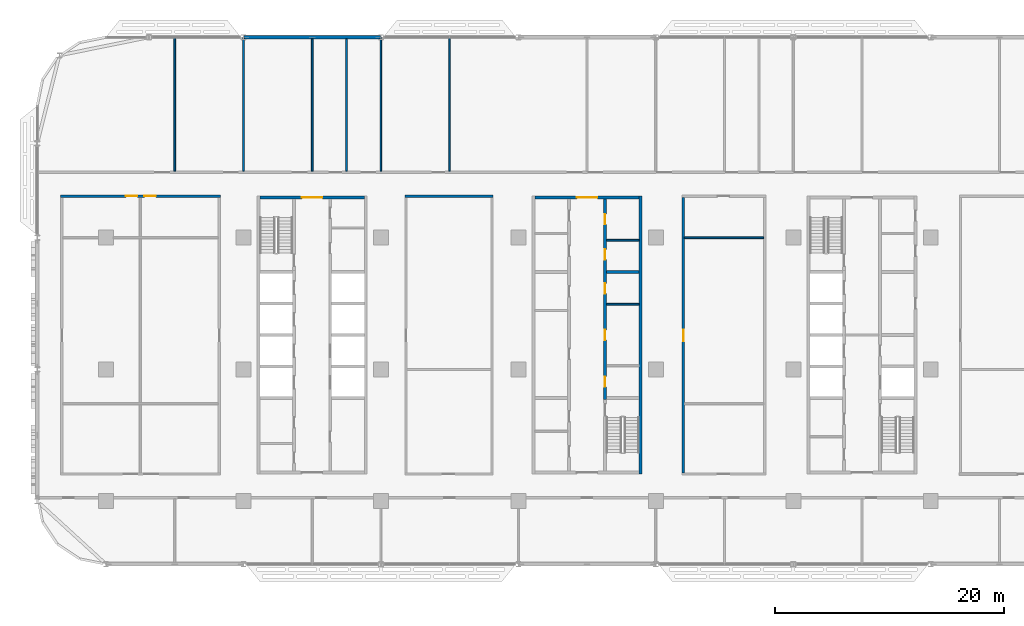
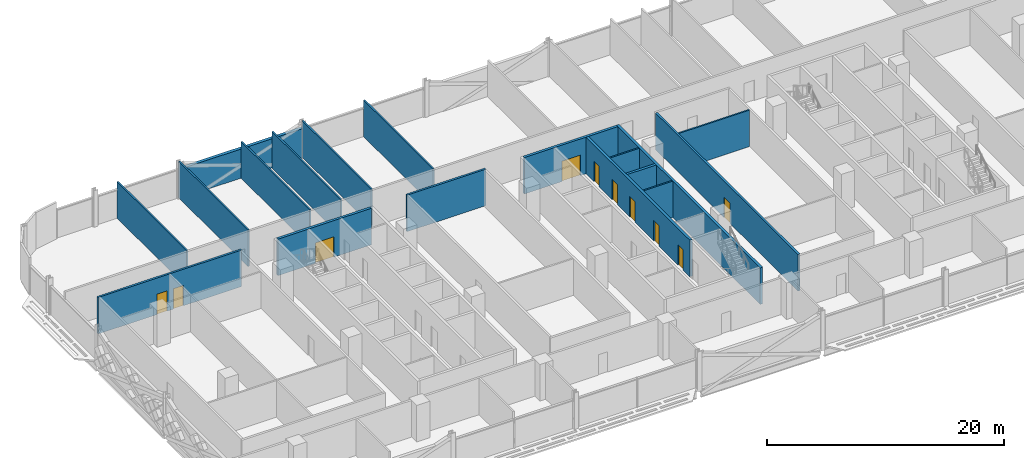
# One storey, part 15 of 28: 18 walls, 10 doors, 10 openings.
"""IFC4 building model written with IfcOpenShell, lengths in metres."""

from ifc_helpers import new_model, si_unit, direction, frame, frame_2d, origin, place, context, subcontext, project, spatial, rectangle, extrude, material, layer, layer_set, type_object, element, fill, save


model = new_model("IFC4")

# Units and contexts
model_context = context("Model", 3, precision=1e-05, world=origin(), true_north=direction((0.0, 1.0)))
body_context = subcontext(model_context, "Body", "Model", "MODEL_VIEW")
ifc_project = project(units=[si_unit("LENGTHUNIT", "METRE"), si_unit("AREAUNIT", "SQUARE_METRE"), si_unit("VOLUMEUNIT", "CUBIC_METRE"), si_unit("PLANEANGLEUNIT", "RADIAN"), si_unit("MASSUNIT", "GRAM", prefix="KILO")], contexts=[model_context])

# Site, building, storey
site_placement = place(None, origin())
site = spatial("IfcSite", under=ifc_project, at=site_placement, CompositionType="ELEMENT")
building_placement = place(site_placement, origin())
building = spatial("IfcBuilding", under=site, at=building_placement, Name="Mahtab Terrace Research Tower", CompositionType="ELEMENT")
storey_placement = place(building_placement, frame((0.0, 0.0, 130.199951171875)))
storey = spatial("IfcBuildingStorey", under=building, at=storey_placement, Name="L30", CompositionType="ELEMENT", Elevation=130.199951171875)

# Walls
ifc_material_1 = material(Name="Gypsum board partition")
ifc_layer_1 = layer(ifc_material_1, 0.14990234375)
ifc_layer_set_1 = layer_set([ifc_layer_1], Name="Core partition 150")
wall_type_1 = type_object("IfcWallType", Name="Core partition 150", PredefinedType="PARTITIONING", material=ifc_layer_set_1)
for number, where, z_axis, x_axis, name in (
    (1, (1.699951171875, 5.6875, 0.0), (0.0, 0.0, 1.0), (1.0, 0.0, 0.0), "Core wall B pEL269"),
    (2, (1.699951171875, 11.27490234375, 0.0), (0.0, 0.0, 1.0), (1.0, 0.0, 0.0), "Core wall B pEN828"),
):
    element("IfcWall", number, at=place(storey_placement, frame(where, z_axis=z_axis, x_axis=x_axis)), inside=storey, type_object=wall_type_1, Name=name, PredefinedType="PARTITIONING", context=body_context, shape_type="SweptSolid", body=[
        extrude(rectangle(XDim=2.85009765625, YDim=0.14990234375, at=frame_2d((1.425048828125, 0.0))), origin(), (0.0, 0.0, 1.0), 3.760009765625),
    ])

# Wall, opening, door
ifc_material_2 = material(Name="Concrete C70/85", Category="concrete")
ifc_layer_2 = layer(ifc_material_2, 0.25)
ifc_layer_set_2 = layer_set([ifc_layer_2], Name="Core wall 250")
wall_type_2 = type_object("IfcWallType", Name="Core wall 250", PredefinedType="SOLIDWALL", material=ifc_layer_set_2)
wall_1_placement = place(storey_placement, frame((-28.550048828125, 15.0, 0.0), z_axis=(0.0, 0.0, 1.0), x_axis=(1.0, 0.0, 0.0)))
wall_1 = element("IfcWall", 3, at=wall_1_placement, inside=storey, type_object=wall_type_2, Name="Core wall A endN", PredefinedType="SOLIDWALL", context=body_context, shape_type="SweptSolid", body=[
    extrude(rectangle(XDim=9.10009765625, YDim=0.25, at=frame_2d((4.550048828125, 0.0))), origin(), (0.0, 0.0, 1.0), 3.760009765625),
])
opening_1_placement = place(wall_1_placement, frame((3.64990234375, 0.0, 0.0)))
opening_1 = element("IfcOpeningElement", 4, at=opening_1_placement, cuts=wall_1, Name="Opening A-N1", PredefinedType="OPENING", context=body_context, shape_type="SweptSolid", body=[
    extrude(rectangle(XDim=1.800048828125, YDim=2.10009765625, at=frame_2d((0.89990234375, 1.050048828125))), frame((0.0, 0.135009765625, 0.0), z_axis=(0.0, -1.0, 0.0), x_axis=(1.0, 0.0, 0.0)), (0.0, 0.0, 1.0), 0.27001953125),
])
ifc_material_3 = material(Name="Steel fire door", Category="steel")
door_type_1 = type_object("IfcDoorType", Name="Lobby double door 1800x2100 1 HR", OperationType="DOUBLE_DOOR_SINGLE_SWING", PredefinedType="DOOR", material=ifc_material_3)
door_1_placement = place(opening_1_placement, origin())
door_1 = element("IfcDoor", 5, at=door_1_placement, inside=storey, type_object=door_type_1, Name="Core entrance door A N", OperationType="DOUBLE_DOOR_SINGLE_SWING", OverallHeight=2.10009765625, OverallWidth=1.800048828125, PredefinedType="DOOR", context=body_context, shape_type="SweptSolid", body=[
    extrude(rectangle(XDim=1.800048828125, YDim=2.10009765625, at=frame_2d((0.89990234375, 1.050048828125))), frame((0.0, 0.02490234375, 0.0), z_axis=(0.0, -1.0, 0.0), x_axis=(1.0, 0.0, 0.0)), (0.0, 0.0, 1.0), 0.050048828125),
])
fill(opening_1, door_1)

# Wall
wall_2_placement = place(storey_placement, frame((4.675048828125, -9.125, 0.0), z_axis=(0.0, 0.0, 1.0), x_axis=(0.0, 1.0, 0.0)))
element("IfcWall", 6, at=wall_2_placement, inside=storey, type_object=wall_type_2, Name="Core wall B outerE", PredefinedType="SOLIDWALL", context=body_context, shape_type="SweptSolid", body=[
    extrude(rectangle(XDim=24.25, YDim=0.25, at=frame_2d((12.125, 0.0))), origin(), (0.0, 0.0, 1.0), 3.760009765625),
])

# Wall, opening, door
wall_3_placement = place(storey_placement, frame((-4.550048828125, 15.0, 0.0), z_axis=(0.0, 0.0, 1.0), x_axis=(1.0, 0.0, 0.0)))
wall_3 = element("IfcWall", 7, at=wall_3_placement, inside=storey, type_object=wall_type_2, Name="Core wall B endN", PredefinedType="SOLIDWALL", context=body_context, shape_type="SweptSolid", body=[
    extrude(rectangle(XDim=9.10009765625, YDim=0.25, at=frame_2d((4.550048828125, 0.0))), origin(), (0.0, 0.0, 1.0), 3.760009765625),
])
opening_2_placement = place(wall_3_placement, frame((3.64990234375, 0.0, 0.0)))
opening_2 = element("IfcOpeningElement", 8, at=opening_2_placement, cuts=wall_3, Name="Opening B-N1", PredefinedType="OPENING", context=body_context, shape_type="SweptSolid", body=[
    extrude(rectangle(XDim=1.800048828125, YDim=2.10009765625, at=frame_2d((0.89990234375, 1.050048828125))), frame((0.0, 0.135009765625, 0.0), z_axis=(0.0, -1.0, 0.0), x_axis=(1.0, 0.0, 0.0)), (0.0, 0.0, 1.0), 0.27001953125),
])
door_2_placement = place(opening_2_placement, origin())
door_2 = element("IfcDoor", 9, at=door_2_placement, inside=storey, type_object=door_type_1, Name="Core entrance door B N", OperationType="DOUBLE_DOOR_SINGLE_SWING", OverallHeight=2.10009765625, OverallWidth=1.800048828125, PredefinedType="DOOR", context=body_context, shape_type="SweptSolid", body=[
    extrude(rectangle(XDim=1.800048828125, YDim=2.10009765625, at=frame_2d((0.89990234375, 1.050048828125))), frame((0.0, 0.02490234375, 0.0), z_axis=(0.0, -1.0, 0.0), x_axis=(1.0, 0.0, 0.0)), (0.0, 0.0, 1.0), 0.050048828125),
])
fill(opening_2, door_2)

# Wall, openings, doors
wall_4_placement = place(storey_placement, frame((1.574951171875, 14.875, 0.0), z_axis=(0.0, 0.0, 1.0), x_axis=(0.0, -1.0, 0.0)))
wall_4 = element("IfcWall", 10, at=wall_4_placement, inside=storey, type_object=wall_type_2, Name="Core wall B innerELN", PredefinedType="SOLIDWALL", context=body_context, shape_type="SweptSolid", body=[
    extrude(rectangle(XDim=17.5, YDim=0.25, at=frame_2d((8.75, 0.0))), origin(), (0.0, 0.0, 1.0), 3.760009765625),
])
opening_3_placement = place(wall_4_placement, frame((15.493896484375, 0.0, 0.0)))
opening_3 = element("IfcOpeningElement", 11, at=opening_3_placement, cuts=wall_4, Name="Opening B-R3", PredefinedType="OPENING", context=body_context, shape_type="SweptSolid", body=[
    extrude(rectangle(XDim=0.89990234375, YDim=2.10009765625, at=frame_2d((0.449951171875, 1.050048828125))), frame((0.0, 0.135009765625, 0.0), z_axis=(0.0, -1.0, 0.0), x_axis=(1.0, 0.0, 0.0)), (0.0, 0.0, 1.0), 0.27001953125),
])
opening_4_placement = place(wall_4_placement, frame((11.425048828125, 0.0, 0.0)))
opening_4 = element("IfcOpeningElement", 12, at=opening_4_placement, cuts=wall_4, Name="Opening B-R4", PredefinedType="OPENING", context=body_context, shape_type="SweptSolid", body=[
    extrude(rectangle(XDim=0.89990234375, YDim=2.10009765625, at=frame_2d((0.449951171875, 1.050048828125))), frame((0.0, 0.135009765625, 0.0), z_axis=(0.0, -1.0, 0.0), x_axis=(1.0, 0.0, 0.0)), (0.0, 0.0, 1.0), 0.27001953125),
])
opening_5_placement = place(wall_4_placement, frame((7.356201171875, 0.0, 0.0)))
opening_5 = element("IfcOpeningElement", 13, at=opening_5_placement, cuts=wall_4, Name="Opening B-R5", PredefinedType="OPENING", context=body_context, shape_type="SweptSolid", body=[
    extrude(rectangle(XDim=0.89990234375, YDim=2.10009765625, at=frame_2d((0.449951171875, 1.050048828125))), frame((0.0, 0.135009765625, 0.0), z_axis=(0.0, -1.0, 0.0), x_axis=(1.0, 0.0, 0.0)), (0.0, 0.0, 1.0), 0.27001953125),
])
opening_6_placement = place(wall_4_placement, frame((4.387451171875, 0.0, 0.0)))
opening_6 = element("IfcOpeningElement", 14, at=opening_6_placement, cuts=wall_4, Name="Opening B-R10", PredefinedType="OPENING", context=body_context, shape_type="SweptSolid", body=[
    extrude(rectangle(XDim=0.89990234375, YDim=2.10009765625, at=frame_2d((0.449951171875, 1.050048828125))), frame((0.0, 0.135009765625, 0.0), z_axis=(0.0, -1.0, 0.0), x_axis=(1.0, 0.0, 0.0)), (0.0, 0.0, 1.0), 0.27001953125),
])
opening_7_placement = place(wall_4_placement, frame((1.3125, 0.0, 0.0)))
opening_7 = element("IfcOpeningElement", 15, at=opening_7_placement, cuts=wall_4, Name="Opening B-R11", PredefinedType="OPENING", context=body_context, shape_type="SweptSolid", body=[
    extrude(rectangle(XDim=0.89990234375, YDim=2.10009765625, at=frame_2d((0.449951171875, 1.050048828125))), frame((0.0, 0.135009765625, 0.0), z_axis=(0.0, -1.0, 0.0), x_axis=(1.0, 0.0, 0.0)), (0.0, 0.0, 1.0), 0.27001953125),
])
door_type_2 = type_object("IfcDoorType", Name="Room door 900x2100 1 HR", OperationType="NOTDEFINED", PredefinedType="DOOR", material=ifc_material_3)
door_3_placement = place(opening_3_placement, origin())
door_3 = element("IfcDoor", 16, at=door_3_placement, inside=storey, type_object=door_type_2, Name="Comms room door", OperationType="SINGLE_SWING_LEFT", OverallHeight=2.10009765625, OverallWidth=0.89990234375, PredefinedType="DOOR", context=body_context, shape_type="SweptSolid", body=[
    extrude(rectangle(XDim=0.89990234375, YDim=2.10009765625, at=frame_2d((0.449951171875, 1.050048828125))), frame((0.0, 0.02490234375, 0.0), z_axis=(0.0, -1.0, 0.0), x_axis=(1.0, 0.0, 0.0)), (0.0, 0.0, 1.0), 0.050048828125),
])
fill(opening_3, door_3)
door_4_placement = place(opening_4_placement, origin())
door_4 = element("IfcDoor", 17, at=door_4_placement, inside=storey, type_object=door_type_2, Name="Meeting alcove door", OperationType="SINGLE_SWING_RIGHT", OverallHeight=2.10009765625, OverallWidth=0.89990234375, PredefinedType="DOOR", context=body_context, shape_type="SweptSolid", body=[
    extrude(rectangle(XDim=0.89990234375, YDim=2.10009765625, at=frame_2d((0.449951171875, 1.050048828125))), frame((0.0, 0.02490234375, 0.0), z_axis=(0.0, -1.0, 0.0), x_axis=(1.0, 0.0, 0.0)), (0.0, 0.0, 1.0), 0.050048828125),
])
fill(opening_4, door_4)
door_5_placement = place(opening_5_placement, origin())
door_5 = element("IfcDoor", 18, at=door_5_placement, inside=storey, type_object=door_type_2, Name="Linen store door", OperationType="SINGLE_SWING_LEFT", OverallHeight=2.10009765625, OverallWidth=0.89990234375, PredefinedType="DOOR", context=body_context, shape_type="SweptSolid", body=[
    extrude(rectangle(XDim=0.89990234375, YDim=2.10009765625, at=frame_2d((0.449951171875, 1.050048828125))), frame((0.0, 0.02490234375, 0.0), z_axis=(0.0, -1.0, 0.0), x_axis=(1.0, 0.0, 0.0)), (0.0, 0.0, 1.0), 0.050048828125),
])
fill(opening_5, door_5)
door_6_placement = place(opening_6_placement, origin())
door_6 = element("IfcDoor", 19, at=door_6_placement, inside=storey, type_object=door_type_2, Name="Accessible WC door", OperationType="SINGLE_SWING_RIGHT", OverallHeight=2.10009765625, OverallWidth=0.89990234375, PredefinedType="DOOR", context=body_context, shape_type="SweptSolid", body=[
    extrude(rectangle(XDim=0.89990234375, YDim=2.10009765625, at=frame_2d((0.449951171875, 1.050048828125))), frame((0.0, 0.02490234375, 0.0), z_axis=(0.0, -1.0, 0.0), x_axis=(1.0, 0.0, 0.0)), (0.0, 0.0, 1.0), 0.050048828125),
])
fill(opening_6, door_6)
door_7_placement = place(opening_7_placement, origin())
door_7 = element("IfcDoor", 20, at=door_7_placement, inside=storey, type_object=door_type_2, Name="WC block door", OperationType="SINGLE_SWING_LEFT", OverallHeight=2.10009765625, OverallWidth=0.89990234375, PredefinedType="DOOR", context=body_context, shape_type="SweptSolid", body=[
    extrude(rectangle(XDim=0.89990234375, YDim=2.10009765625, at=frame_2d((0.449951171875, 1.050048828125))), frame((0.0, 0.02490234375, 0.0), z_axis=(0.0, -1.0, 0.0), x_axis=(1.0, 0.0, 0.0)), (0.0, 0.0, 1.0), 0.050048828125),
])
fill(opening_7, door_7)

# Walls
wall_5_placement = place(storey_placement, frame((1.699951171875, 8.5, 0.0), z_axis=(0.0, 0.0, 1.0), x_axis=(1.0, 0.0, 0.0)))
element("IfcWall", 21, at=wall_5_placement, inside=storey, type_object=wall_type_2, Name="Core wall B divE4", PredefinedType="SOLIDWALL", context=body_context, shape_type="SweptSolid", body=[
    extrude(rectangle(XDim=2.85009765625, YDim=0.25, at=frame_2d((1.425048828125, 0.0))), origin(), (0.0, 0.0, 1.0), 3.760009765625),
])
ifc_material_4 = material(Name="Black aluminium cladding panel", Category="aluminium")
ifc_layer_3 = layer(ifc_material_4, 0.300048828125)
ifc_layer_set_3 = layer_set([ifc_layer_3], Name="Opaque facade wall 300")
wall_type_3 = type_object("IfcWallType", Name="Opaque facade wall 300", PredefinedType="NOTDEFINED", material=ifc_layer_set_3)
wall_6_placement = place(storey_placement, frame((-18.017822265625, 29.0, 0.0), z_axis=(0.0, 0.0, 1.0), x_axis=(-1.0, 0.0, 0.0)))
element("IfcWall", 22, at=wall_6_placement, inside=storey, type_object=wall_type_3, Name="Opaque facade wall L30 N8", PredefinedType="NOTDEFINED", context=body_context, shape_type="SweptSolid", body=[
    extrude(rectangle(XDim=11.96435546875, YDim=0.300048828125, at=frame_2d((5.982177734375, 0.0))), origin(), (0.0, 0.0, 1.0), 3.003173828125),
])

# Wall, openings, doors
ifc_material_5 = material(Name="Gypsum board corridor wall on steel studs", Category="steel")
ifc_layer_4 = layer(ifc_material_5, 0.199951171875)
ifc_layer_set_4 = layer_set([ifc_layer_4], Name="WALL CORRIDOR 200")
wall_type_4 = type_object("IfcWallType", Name="WALL CORRIDOR 200", PredefinedType="PARTITIONING", material=ifc_layer_set_4)
wall_7_placement = place(storey_placement, frame((-45.949951171875, 15.125, 0.0), z_axis=(0.0, 0.0, 1.0), x_axis=(1.0, 0.0, 0.0)))
wall_7 = element("IfcWall", 23, at=wall_7_placement, inside=storey, type_object=wall_type_4, Name="L30-W022", PredefinedType="PARTITIONING", context=body_context, shape_type="SweptSolid", body=[
    extrude(rectangle(XDim=13.949951171875, YDim=0.199951171875, at=frame_2d((6.97509765625, 0.0))), origin(), (0.0, 0.0, 1.0), 3.760009765625),
])
opening_8_placement = place(wall_7_placement, frame((5.699951171875, 0.0, 0.0)))
opening_8 = element("IfcOpeningElement", 24, at=opening_8_placement, cuts=wall_7, Name="Opening L30-123", PredefinedType="OPENING", context=body_context, shape_type="SweptSolid", body=[
    extrude(rectangle(XDim=1.0, YDim=2.10009765625, at=frame_2d((0.5, 1.050048828125))), frame((0.0, 0.10986328125, 0.0), z_axis=(0.0, -1.0, 0.0), x_axis=(1.0, 0.0, 0.0)), (0.0, 0.0, 1.0), 0.219970703125),
])
opening_9_placement = place(wall_7_placement, frame((7.300048828125, 0.0, 0.0)))
opening_9 = element("IfcOpeningElement", 25, at=opening_9_placement, cuts=wall_7, Name="Opening L30-124", PredefinedType="OPENING", context=body_context, shape_type="SweptSolid", body=[
    extrude(rectangle(XDim=1.0, YDim=2.10009765625, at=frame_2d((0.5, 1.050048828125))), frame((0.0, 0.10986328125, 0.0), z_axis=(0.0, -1.0, 0.0), x_axis=(1.0, 0.0, 0.0)), (0.0, 0.0, 1.0), 0.219970703125),
])
ifc_material_6 = material(Name="Timber door leaf in steel frame", Category="steel")
door_type_3 = type_object("IfcDoorType", Name="DOOR 1000X2100 FD30S", OperationType="SINGLE_SWING_LEFT", PredefinedType="DOOR", material=ifc_material_6)
door_8_placement = place(opening_8_placement, origin())
door_8 = element("IfcDoor", 26, at=door_8_placement, inside=storey, type_object=door_type_3, Name="Door L30-123", OperationType="SINGLE_SWING_RIGHT", OverallHeight=2.10009765625, OverallWidth=1.0, PredefinedType="DOOR", context=body_context, shape_type="SweptSolid", body=[
    extrude(rectangle(XDim=1.0, YDim=2.10009765625, at=frame_2d((0.5, 1.050048828125))), frame((0.0, 0.02490234375, 0.0), z_axis=(0.0, -1.0, 0.0), x_axis=(1.0, 0.0, 0.0)), (0.0, 0.0, 1.0), 0.050048828125),
])
fill(opening_8, door_8)
door_9_placement = place(opening_9_placement, origin())
door_9 = element("IfcDoor", 27, at=door_9_placement, inside=storey, type_object=door_type_3, Name="Door L30-124", OperationType="SINGLE_SWING_LEFT", OverallHeight=2.10009765625, OverallWidth=1.0, PredefinedType="DOOR", context=body_context, shape_type="SweptSolid", body=[
    extrude(rectangle(XDim=1.0, YDim=2.10009765625, at=frame_2d((0.5, 1.050048828125))), frame((0.0, 0.02490234375, 0.0), z_axis=(0.0, -1.0, 0.0), x_axis=(1.0, 0.0, 0.0)), (0.0, 0.0, 1.0), 0.050048828125),
])
fill(opening_9, door_9)

# Wall
wall_8_placement = place(storey_placement, frame((-15.89990234375, 15.125, 0.0), z_axis=(0.0, 0.0, 1.0), x_axis=(1.0, 0.0, 0.0)))
element("IfcWall", 28, at=wall_8_placement, inside=storey, type_object=wall_type_4, Name="L30-W023", PredefinedType="PARTITIONING", context=body_context, shape_type="SweptSolid", body=[
    extrude(rectangle(XDim=7.699951171875, YDim=0.199951171875, at=frame_2d((3.85009765625, 0.0))), origin(), (0.0, 0.0, 1.0), 3.760009765625),
])

# Wall, opening, door
wall_9_placement = place(storey_placement, frame((8.39990234375, -9.02490234375, 0.0), z_axis=(0.0, 0.0, 1.0), x_axis=(0.0, 1.0, 0.0)))
wall_9 = element("IfcWall", 29, at=wall_9_placement, inside=storey, type_object=wall_type_4, Name="L30-W045", PredefinedType="PARTITIONING", context=body_context, shape_type="SweptSolid", body=[
    extrude(rectangle(XDim=24.0498046875, YDim=0.199951171875, at=frame_2d((12.02490234375, 0.0))), origin(), (0.0, 0.0, 1.0), 3.760009765625),
])
opening_10_placement = place(wall_9_placement, frame((11.5, 0.0, 0.0)))
opening_10 = element("IfcOpeningElement", 30, at=opening_10_placement, cuts=wall_9, Name="Opening L30-119", PredefinedType="OPENING", context=body_context, shape_type="SweptSolid", body=[
    extrude(rectangle(XDim=1.0, YDim=2.10009765625, at=frame_2d((0.5, 1.050048828125))), frame((0.0, 0.10986328125, 0.0), z_axis=(0.0, -1.0, 0.0), x_axis=(1.0, 0.0, 0.0)), (0.0, 0.0, 1.0), 0.219970703125),
])
door_10_placement = place(opening_10_placement, origin())
door_10 = element("IfcDoor", 31, at=door_10_placement, inside=storey, type_object=door_type_3, Name="Door L30-119", OperationType="SINGLE_SWING_RIGHT", OverallHeight=2.10009765625, OverallWidth=1.0, PredefinedType="DOOR", context=body_context, shape_type="SweptSolid", body=[
    extrude(rectangle(XDim=1.0, YDim=2.10009765625, at=frame_2d((0.5, 1.050048828125))), frame((0.0, 0.02490234375, 0.0), z_axis=(0.0, -1.0, 0.0), x_axis=(1.0, 0.0, 0.0)), (0.0, 0.0, 1.0), 0.050048828125),
])
fill(opening_10, door_10)

# Walls
ifc_material_7 = material(Name="Gypsum board partition on steel studs", Category="steel")
ifc_layer_5 = layer(ifc_material_7, 0.14990234375)
ifc_layer_set_5 = layer_set([ifc_layer_5], Name="WALL PARTITION 150")
wall_type_5 = type_object("IfcWallType", Name="WALL PARTITION 150", PredefinedType="PARTITIONING", material=ifc_layer_set_5)
wall_10_placement = place(storey_placement, frame((8.5, 11.5, 0.0), z_axis=(0.0, 0.0, 1.0), x_axis=(1.0, 0.0, 0.0)))
element("IfcWall", 32, at=wall_10_placement, inside=storey, type_object=wall_type_5, Name="L30-W021", PredefinedType="PARTITIONING", context=body_context, shape_type="SweptSolid", body=[
    extrude(rectangle(XDim=6.89990234375, YDim=0.14990234375, at=frame_2d((3.449951171875, 0.0))), origin(), (0.0, 0.0, 1.0), 3.760009765625),
])
for number, where, z_axis, x_axis, name in (
    (33, (-36.0, 17.300048828125, 0.0), (0.0, 0.0, 1.0), (0.0, 1.0, 0.0), "L30-W030"),
    (34, (-30.0, 17.300048828125, 0.0), (0.0, 0.0, 1.0), (0.0, 1.0, 0.0), "L30-W032"),
):
    element("IfcWall", number, at=place(storey_placement, frame(where, z_axis=z_axis, x_axis=x_axis)), inside=storey, type_object=wall_type_5, Name=name, PredefinedType="PARTITIONING", context=body_context, shape_type="SweptSolid", body=[
        extrude(rectangle(XDim=11.675048828125, YDim=0.14990234375, at=frame_2d((5.83740234375, 0.0))), origin(), (0.0, 0.0, 1.0), 3.760009765625),
    ])
for number, where, z_axis, x_axis, name in (
    (35, (-24.0, 17.300048828125, 0.0), (0.0, 0.0, 1.0), (0.0, 1.0, 0.0), "L30-W034"),
    (36, (-21.0, 17.300048828125, 0.0), (0.0, 0.0, 1.0), (0.0, 1.0, 0.0), "L30-W035"),
):
    element("IfcWall", number, at=place(storey_placement, frame(where, z_axis=z_axis, x_axis=x_axis)), inside=storey, type_object=wall_type_5, Name=name, PredefinedType="PARTITIONING", context=body_context, shape_type="SweptSolid", body=[
        extrude(rectangle(XDim=11.550048828125, YDim=0.14990234375, at=frame_2d((5.77490234375, 0.0))), origin(), (0.0, 0.0, 1.0), 3.760009765625),
    ])
for number, where, z_axis, x_axis, name in (
    (37, (-18.0, 17.300048828125, 0.0), (0.0, 0.0, 1.0), (0.0, 1.0, 0.0), "L30-W037"),
    (38, (-12.0, 17.300048828125, 0.0), (0.0, 0.0, 1.0), (0.0, 1.0, 0.0), "L30-W039"),
):
    element("IfcWall", number, at=place(storey_placement, frame(where, z_axis=z_axis, x_axis=x_axis)), inside=storey, type_object=wall_type_5, Name=name, PredefinedType="PARTITIONING", context=body_context, shape_type="SweptSolid", body=[
        extrude(rectangle(XDim=11.675048828125, YDim=0.14990234375, at=frame_2d((5.83740234375, 0.0))), origin(), (0.0, 0.0, 1.0), 3.760009765625),
    ])

save(model, "model.ifc")
